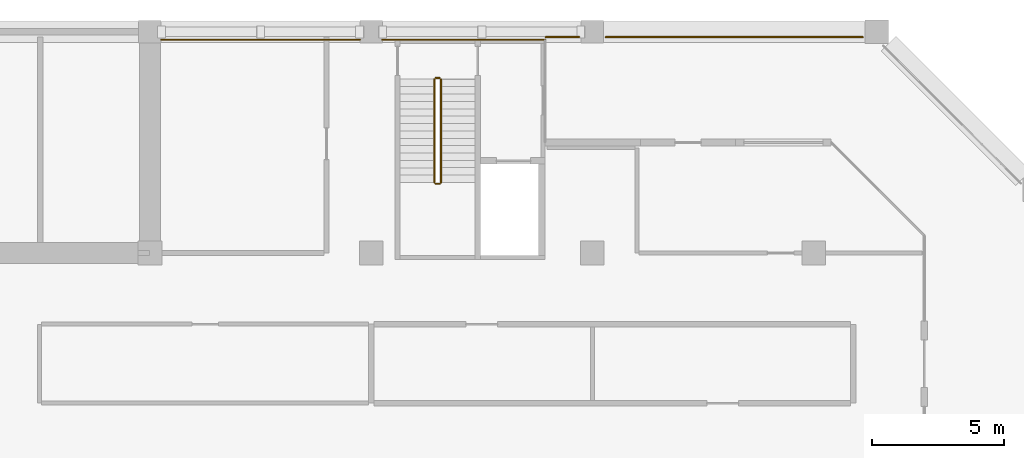
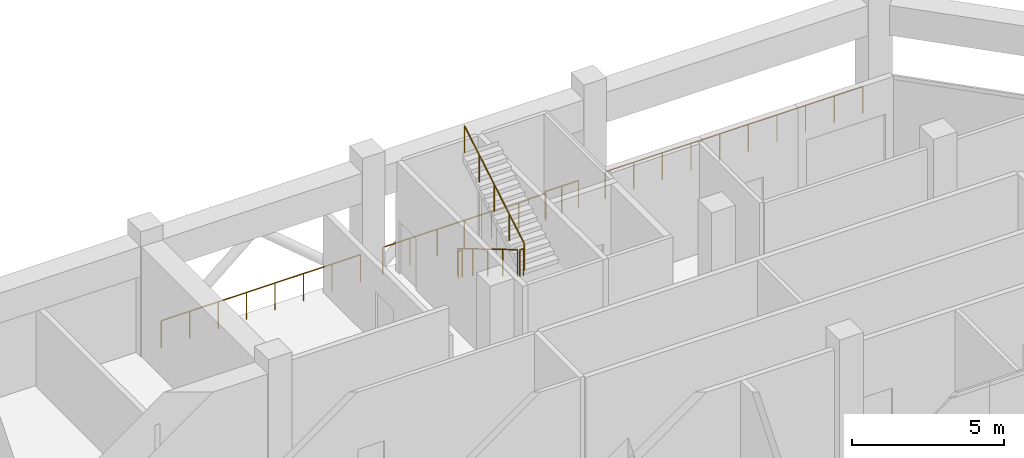
# One storey, part 13 of 14: 8 railings.
"""IFC4 building model written with IfcOpenShell, lengths in metres."""

from ifc_helpers import new_model, si_unit, direction, frame, origin, origin_2d, place, context, subcontext, project, spatial, circle, extrude, material, type_object, element, save


model = new_model("IFC4")

# Units and contexts
model_context = context("Model", 3, precision=1e-05, world=origin(), true_north=direction((0.0, 1.0)))
body_context = subcontext(model_context, "Body", "Model", "MODEL_VIEW")
ifc_project = project(units=[si_unit("LENGTHUNIT", "METRE"), si_unit("AREAUNIT", "SQUARE_METRE"), si_unit("VOLUMEUNIT", "CUBIC_METRE"), si_unit("PLANEANGLEUNIT", "RADIAN"), si_unit("MASSUNIT", "GRAM", prefix="KILO")], contexts=[model_context])

# Site, building, storey
site_placement = place(None, origin())
site = spatial("IfcSite", under=ifc_project, at=site_placement, CompositionType="ELEMENT")
building_placement = place(site_placement, origin())
building = spatial("IfcBuilding", under=site, at=building_placement, Name="Kawkab Arch Medical Tower", CompositionType="ELEMENT")
storey_placement = place(building_placement, frame((0.0, 0.0, 213.0)))
storey = spatial("IfcBuildingStorey", under=building, at=storey_placement, Name="L49", CompositionType="ELEMENT", Elevation=213.0)

# Railings
ifc_material_1 = material(Name="Bronze anodised aluminium guard", Category="aluminium")
railing_type_1 = type_object("IfcRailingType", Name="Loggia and terrace guard 1100", PredefinedType="GUARDRAIL", material=ifc_material_1)
railing_1_placement = place(storey_placement, frame((48.60107421875, -0.300048828125, 0.0)))
element("IfcRailing", 1, at=railing_1_placement, inside=storey, type_object=railing_type_1, Name="Band guard L49.R18.1", PredefinedType="GUARDRAIL", context=body_context, shape_type="SweptSolid", body=[
    extrude(circle(Radius=0.02392578125, at=origin_2d()), frame((0.0, 0.0, 1.076171875), z_axis=(-1.0, 0.0, 0.0), x_axis=(0.0, -1.0, 0.0)), (0.0, 0.0, 1.0), 6.176025390625),
    extrude(circle(Radius=0.02099609375, at=origin_2d()), origin(), (0.0, 0.0, 1.0), 1.052001953125),
    extrude(circle(Radius=0.02099609375, at=origin_2d()), frame((-1.029296875, 0.0, 0.0)), (0.0, 0.0, 1.0), 1.052001953125),
    extrude(circle(Radius=0.02099609375, at=origin_2d()), frame((-2.05859375, 0.0, 0.0)), (0.0, 0.0, 1.0), 1.052001953125),
    extrude(circle(Radius=0.02099609375, at=origin_2d()), frame((-3.087890625, 0.0, 0.0)), (0.0, 0.0, 1.0), 1.052001953125),
    extrude(circle(Radius=0.02099609375, at=origin_2d()), frame((-4.117431640625, 0.0, 0.0)), (0.0, 0.0, 1.0), 1.052001953125),
    extrude(circle(Radius=0.02099609375, at=origin_2d()), frame((-5.146728515625, 0.0, 0.0)), (0.0, 0.0, 1.0), 1.052001953125),
    extrude(circle(Radius=0.02099609375, at=origin_2d()), frame((-6.176025390625, 0.0, 0.0)), (0.0, 0.0, 1.0), 1.052001953125),
])
railing_2_placement = place(storey_placement, frame((41.574951171875, -0.300048828125, 0.0)))
element("IfcRailing", 2, at=railing_2_placement, inside=storey, type_object=railing_type_1, Name="Band guard L49.R18.2", PredefinedType="GUARDRAIL", context=body_context, shape_type="SweptSolid", body=[
    extrude(circle(Radius=0.02392578125, at=origin_2d()), frame((0.0, 0.0, 1.076171875), z_axis=(-1.0, 0.0, 0.0), x_axis=(0.0, -1.0, 0.0)), (0.0, 0.0, 1.0), 7.550048828125),
    extrude(circle(Radius=0.02099609375, at=origin_2d()), origin(), (0.0, 0.0, 1.0), 1.052001953125),
    extrude(circle(Radius=0.02099609375, at=origin_2d()), frame((-1.07861328125, 0.0, 0.0)), (0.0, 0.0, 1.0), 1.052001953125),
    extrude(circle(Radius=0.02099609375, at=origin_2d()), frame((-2.1572265625, 0.0, 0.0)), (0.0, 0.0, 1.0), 1.052001953125),
    extrude(circle(Radius=0.02099609375, at=origin_2d()), frame((-3.23583984375, 0.0, 0.0)), (0.0, 0.0, 1.0), 1.052001953125),
    extrude(circle(Radius=0.02099609375, at=origin_2d()), frame((-4.314208984375, 0.0, 0.0)), (0.0, 0.0, 1.0), 1.052001953125),
    extrude(circle(Radius=0.02099609375, at=origin_2d()), frame((-5.392822265625, 0.0, 0.0)), (0.0, 0.0, 1.0), 1.052001953125),
    extrude(circle(Radius=0.02099609375, at=origin_2d()), frame((-6.471435546875, 0.0, 0.0)), (0.0, 0.0, 1.0), 1.052001953125),
    extrude(circle(Radius=0.02099609375, at=origin_2d()), frame((-7.550048828125, 0.0, 0.0)), (0.0, 0.0, 1.0), 1.052001953125),
])
railing_3_placement = place(storey_placement, frame((48.631103515625, -0.199951171875, 0.0)))
element("IfcRailing", 3, at=railing_3_placement, inside=storey, type_object=railing_type_1, Name="Guard L49.REF-01.1.1", PredefinedType="GUARDRAIL", context=body_context, shape_type="SweptSolid", body=[
    extrude(circle(Radius=0.02392578125, at=origin_2d()), frame((0.0, 0.0, 1.076171875), z_axis=(1.0, 0.0, 0.0), x_axis=(0.0, 1.0, 0.0)), (0.0, 0.0, 1.0), 1.263916015625),
    extrude(circle(Radius=0.02099609375, at=origin_2d()), origin(), (0.0, 0.0, 1.0), 1.052001953125),
    extrude(circle(Radius=0.02099609375, at=origin_2d()), frame((0.6318359375, 0.0, 0.0)), (0.0, 0.0, 1.0), 1.052001953125),
    extrude(circle(Radius=0.02099609375, at=origin_2d()), frame((1.263916015625, 0.0, 0.0)), (0.0, 0.0, 1.0), 1.052001953125),
])
railing_4_placement = place(storey_placement, frame((50.905029296875, -0.199951171875, 0.0)))
element("IfcRailing", 4, at=railing_4_placement, inside=storey, type_object=railing_type_1, Name="Guard L49.REF-01.1.2", PredefinedType="GUARDRAIL", context=body_context, shape_type="SweptSolid", body=[
    extrude(circle(Radius=0.02392578125, at=origin_2d()), frame((0.0, 0.0, 1.076171875), z_axis=(1.0, 0.0, 0.0), x_axis=(0.0, 1.0, 0.0)), (0.0, 0.0, 1.0), 9.764892578125),
    extrude(circle(Radius=0.02099609375, at=origin_2d()), origin(), (0.0, 0.0, 1.0), 1.052001953125),
    extrude(circle(Radius=0.02099609375, at=origin_2d()), frame((1.0849609375, 0.0, 0.0)), (0.0, 0.0, 1.0), 1.052001953125),
    extrude(circle(Radius=0.02099609375, at=origin_2d()), frame((2.169921875, 0.0, 0.0)), (0.0, 0.0, 1.0), 1.052001953125),
    extrude(circle(Radius=0.02099609375, at=origin_2d()), frame((3.2548828125, 0.0, 0.0)), (0.0, 0.0, 1.0), 1.052001953125),
    extrude(circle(Radius=0.02099609375, at=origin_2d()), frame((4.33984375, 0.0, 0.0)), (0.0, 0.0, 1.0), 1.052001953125),
    extrude(circle(Radius=0.02099609375, at=origin_2d()), frame((5.425048828125, 0.0, 0.0)), (0.0, 0.0, 1.0), 1.052001953125),
    extrude(circle(Radius=0.02099609375, at=origin_2d()), frame((6.510009765625, 0.0, 0.0)), (0.0, 0.0, 1.0), 1.052001953125),
    extrude(circle(Radius=0.02099609375, at=origin_2d()), frame((7.594970703125, 0.0, 0.0)), (0.0, 0.0, 1.0), 1.052001953125),
    extrude(circle(Radius=0.02099609375, at=origin_2d()), frame((8.679931640625, 0.0, 0.0)), (0.0, 0.0, 1.0), 1.052001953125),
    extrude(circle(Radius=0.02099609375, at=origin_2d()), frame((9.764892578125, 0.0, 0.0)), (0.0, 0.0, 1.0), 1.052001953125),
])
ifc_material_2 = material(Name="Stainless steel", Category="steel")
railing_type_2 = type_object("IfcRailingType", Name="Stair guard 1100", PredefinedType="GUARDRAIL", material=ifc_material_2)
railing_5_placement = place(storey_placement, frame((44.39990234375, -1.800048828125, 0.166748046875)))
element("IfcRailing", 5, at=railing_5_placement, inside=storey, type_object=railing_type_2, Name="L49 ST5 stair guard 1", PredefinedType="GUARDRAIL", context=body_context, shape_type="SweptSolid", body=[
    extrude(circle(Radius=0.02392578125, at=origin_2d()), frame((0.0, 0.0, 1.076171875), z_axis=(0.0, -0.859296244711, 0.511478214419), x_axis=(1.0, 0.0, 0.0)), (0.0, 0.0, 1.0), 4.561767578125),
    extrude(circle(Radius=0.02099609375, at=origin_2d()), origin(), (0.0, 0.0, 1.0), 1.052001953125),
    extrude(circle(Radius=0.02099609375, at=origin_2d()), frame((0.0, -0.97998046875, 0.583251953125)), (0.0, 0.0, 1.0), 1.052001953125),
    extrude(circle(Radius=0.02099609375, at=origin_2d()), frame((0.0, -1.9599609375, 1.16650390625)), (0.0, 0.0, 1.0), 1.052001953125),
    extrude(circle(Radius=0.02099609375, at=origin_2d()), frame((0.0, -2.93994140625, 1.75)), (0.0, 0.0, 1.0), 1.052001953125),
    extrude(circle(Radius=0.02099609375, at=origin_2d()), frame((0.0, -3.919921875, 2.333251953125)), (0.0, 0.0, 1.0), 1.052001953125),
])
railing_6_placement = place(storey_placement, frame((44.449951171875, -5.77001953125, 2.5)))
element("IfcRailing", 6, at=railing_6_placement, inside=storey, type_object=railing_type_2, Name="L49 ST5 stair guard 2", PredefinedType="GUARDRAIL", context=body_context, shape_type="SweptSolid", body=[
    extrude(circle(Radius=0.02392578125, at=origin_2d()), frame((0.0, 0.0, 1.076171875), z_axis=(1.0, 0.0, 0.0), x_axis=(0.0, 1.0, 0.0)), (0.0, 0.0, 1.0), 0.150146484375),
    extrude(circle(Radius=0.02099609375, at=origin_2d()), origin(), (0.0, 0.0, 1.0), 1.052001953125),
    extrude(circle(Radius=0.02099609375, at=origin_2d()), frame((0.150146484375, 0.0, 0.0)), (0.0, 0.0, 1.0), 1.052001953125),
])
railing_7_placement = place(storey_placement, frame((44.64990234375, -5.719970703125, 2.666748046875)))
element("IfcRailing", 7, at=railing_7_placement, inside=storey, type_object=railing_type_2, Name="L49 ST5 stair guard 3", PredefinedType="GUARDRAIL", context=body_context, shape_type="SweptSolid", body=[
    extrude(circle(Radius=0.02392578125, at=origin_2d()), frame((0.0, 0.0, 1.076171875), z_axis=(0.0, 0.859296244711, 0.511478214419), x_axis=(-1.0, 0.0, 0.0)), (0.0, 0.0, 1.0), 4.561767578125),
    extrude(circle(Radius=0.02099609375, at=origin_2d()), origin(), (0.0, 0.0, 1.0), 1.052001953125),
    extrude(circle(Radius=0.02099609375, at=origin_2d()), frame((0.0, 0.97998046875, 0.583251953125)), (0.0, 0.0, 1.0), 1.052001953125),
    extrude(circle(Radius=0.02099609375, at=origin_2d()), frame((0.0, 1.9599609375, 1.16650390625)), (0.0, 0.0, 1.0), 1.052001953125),
    extrude(circle(Radius=0.02099609375, at=origin_2d()), frame((0.0, 2.93994140625, 1.75)), (0.0, 0.0, 1.0), 1.052001953125),
    extrude(circle(Radius=0.02099609375, at=origin_2d()), frame((0.0, 3.919921875, 2.333251953125)), (0.0, 0.0, 1.0), 1.052001953125),
])
railing_8_placement = place(storey_placement, frame((44.449951171875, -1.75, 0.0)))
element("IfcRailing", 8, at=railing_8_placement, inside=storey, type_object=railing_type_2, Name="L49 ST5 stair guard 4", PredefinedType="GUARDRAIL", context=body_context, shape_type="SweptSolid", body=[
    extrude(circle(Radius=0.02392578125, at=origin_2d()), frame((0.0, 0.0, 1.076171875), z_axis=(1.0, 0.0, 0.0), x_axis=(0.0, 1.0, 0.0)), (0.0, 0.0, 1.0), 0.150146484375),
    extrude(circle(Radius=0.02099609375, at=origin_2d()), origin(), (0.0, 0.0, 1.0), 1.052001953125),
    extrude(circle(Radius=0.02099609375, at=origin_2d()), frame((0.150146484375, 0.0, 0.0)), (0.0, 0.0, 1.0), 1.052001953125),
])

save(model, "model.ifc")
